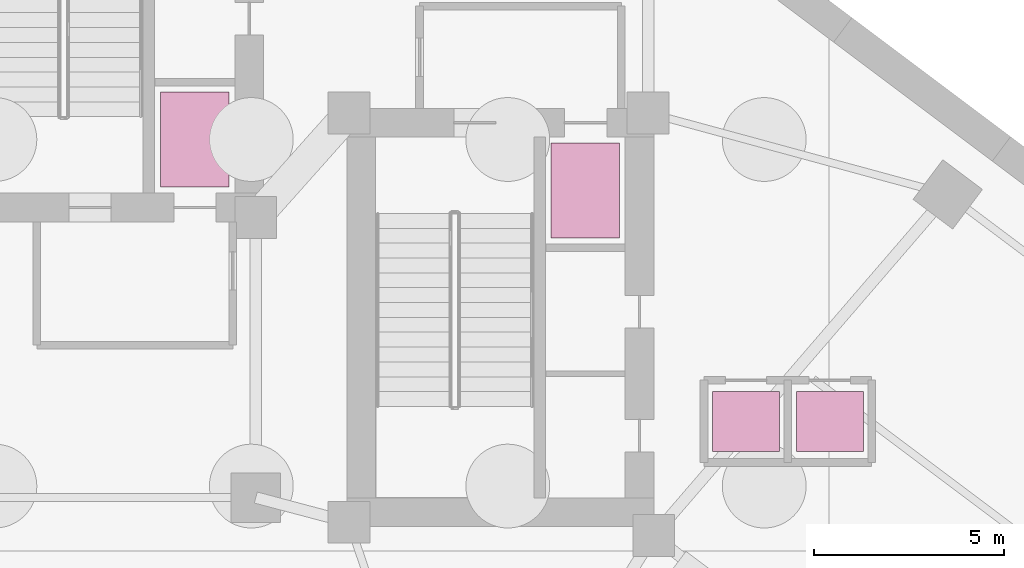
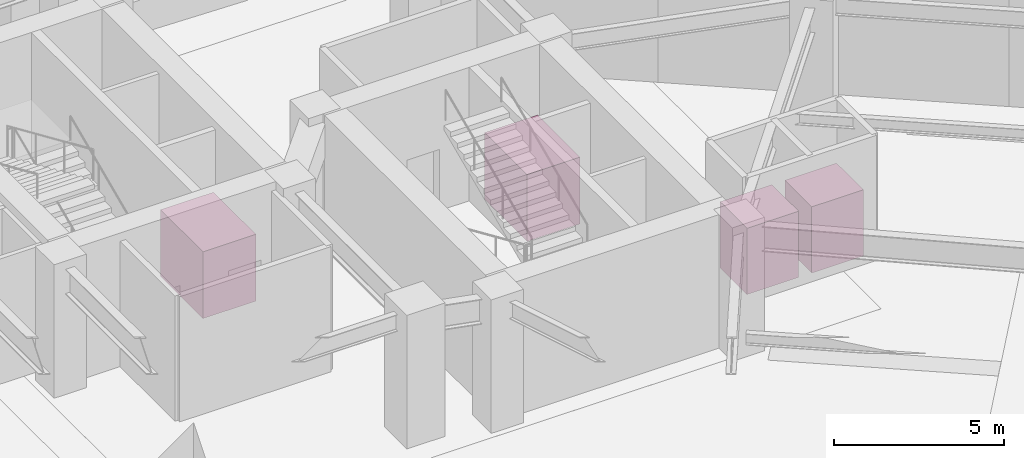
# One storey, part 9 of 9: 4 transport elements.
"""IFC4 building model written with IfcOpenShell, lengths in metres."""

from ifc_helpers import new_model, si_unit, direction, frame, origin, origin_2d, place, context, subcontext, project, spatial, rectangle, extrude, material, type_object, element, save


model = new_model("IFC4")

# Units and contexts
model_context = context("Model", 3, precision=1e-05, world=origin(), true_north=direction((0.0, 1.0)))
body_context = subcontext(model_context, "Body", "Model", "MODEL_VIEW")
ifc_project = project(units=[si_unit("LENGTHUNIT", "METRE"), si_unit("AREAUNIT", "SQUARE_METRE"), si_unit("VOLUMEUNIT", "CUBIC_METRE"), si_unit("PLANEANGLEUNIT", "RADIAN"), si_unit("MASSUNIT", "GRAM", prefix="KILO")], contexts=[model_context])

# Site, building, storey
site_placement = place(None, origin())
site = spatial("IfcSite", under=ifc_project, at=site_placement, CompositionType="ELEMENT")
building_placement = place(site_placement, origin())
building = spatial("IfcBuilding", under=site, at=building_placement, Name="Hatsunagi Terrace Concourse", CompositionType="ELEMENT")
storey_placement = place(building_placement, frame((0.0, 0.0, -9.60009765625)))
storey = spatial("IfcBuildingStorey", under=building, at=storey_placement, Name="B02", CompositionType="ELEMENT", Elevation=-9.60009765625)

# Transport elements
ifc_material_1 = material(Name="Stainless steel", Category="steel")
transport_element_type_1 = type_object("IfcTransportElementType", Name="LIFT-FF-2000", PredefinedType="ELEVATOR", material=ifc_material_1)
for number, where, z_axis, x_axis, name in (
    (1, (31.75, 34.60009765625, 0.000244140625), (0.0, 0.0, 1.0), (1.0, 0.0, 0.0), "Firefighting and Stretcher Lift FF-01"),
    (2, (42.0, 33.260009765625, 0.000244140625), (0.0, 0.0, 1.0), (1.0, 0.0, 0.0), "Firefighting and Stretcher Lift FF-02"),
):
    element("IfcTransportElement", number, at=place(storey_placement, frame(where, z_axis=z_axis, x_axis=x_axis)), inside=storey, type_object=transport_element_type_1, Name=name, PredefinedType="ELEVATOR", context=body_context, shape_type="SweptSolid", body=[
        extrude(rectangle(XDim=1.800048828125, YDim=2.5, at=origin_2d()), origin(), (0.0, 0.0, 1.0), 2.39990234375),
    ])
ifc_material_2 = material(Name="Stainless steel", Category="steel")
transport_element_type_2 = type_object("IfcTransportElementType", Name="LIFT-SH-1600", PredefinedType="ELEVATOR", material=ifc_material_2)
for number, where, z_axis, x_axis, name in (
    (3, (46.22509765625, 27.199951171875, 0.000244140625), (0.0, 0.0, 1.0), (1.0, 0.0, 0.0), "Conference Hotel Shuttle Lift PL-09"),
    (4, (48.425048828125, 27.199951171875, 0.000244140625), (0.0, 0.0, 1.0), (1.0, 0.0, 0.0), "Conference Hotel Shuttle Lift PL-10"),
):
    element("IfcTransportElement", number, at=place(storey_placement, frame(where, z_axis=z_axis, x_axis=x_axis)), inside=storey, type_object=transport_element_type_2, Name=name, PredefinedType="ELEVATOR", context=body_context, shape_type="SweptSolid", body=[
        extrude(rectangle(XDim=1.760009765625, YDim=1.580078125, at=origin_2d()), origin(), (0.0, 0.0, 1.0), 2.3798828125),
    ])

save(model, "model.ifc")
